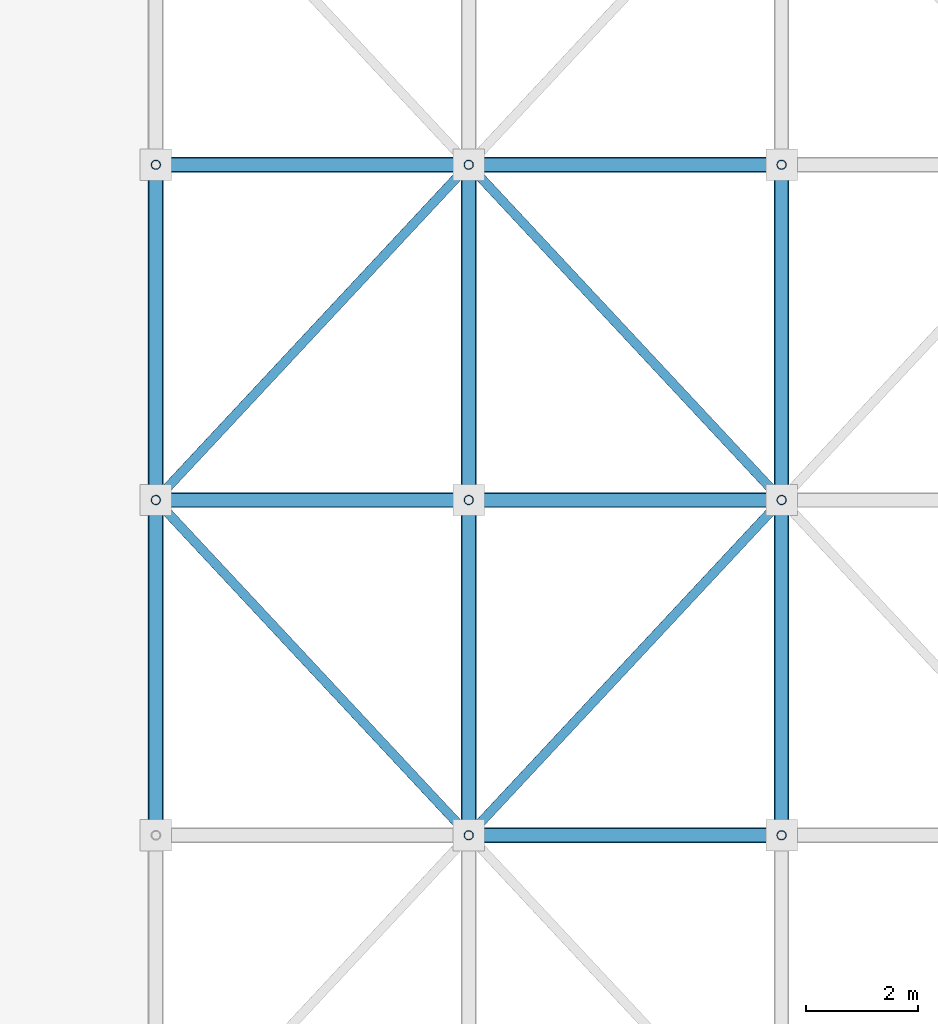
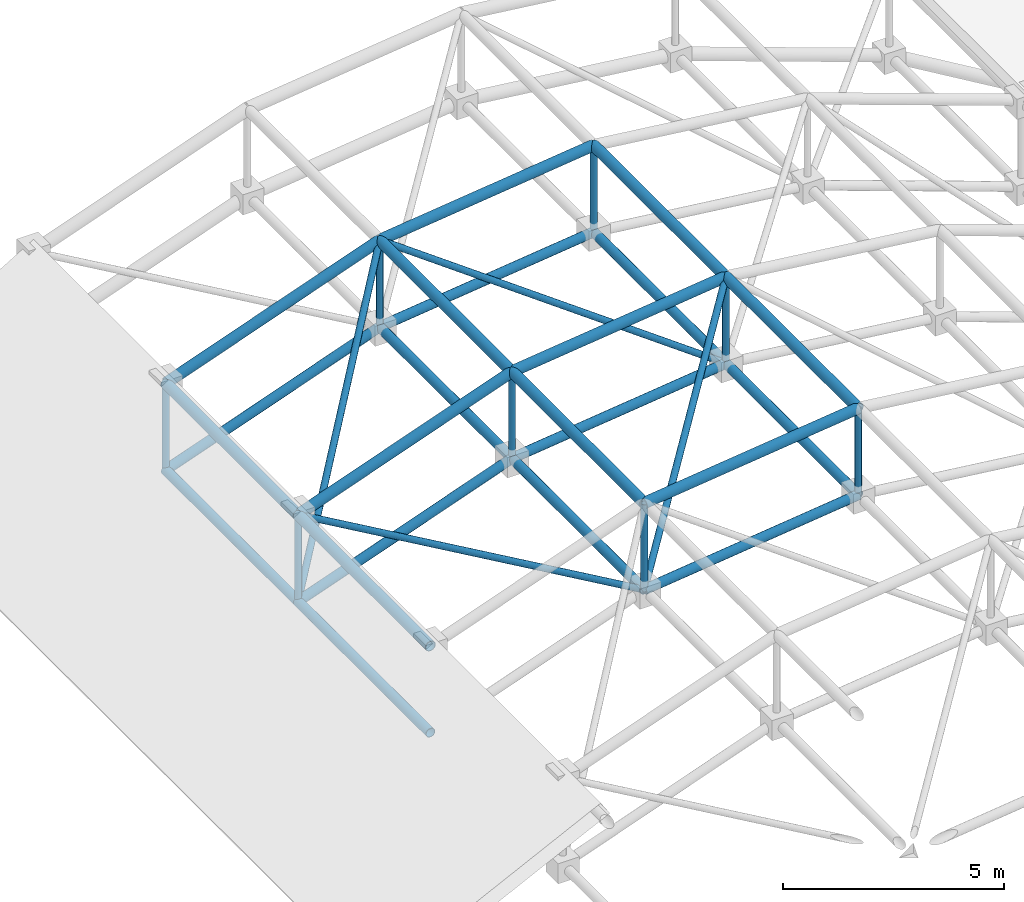
# One storey, part 88 of 140: 34 members.
"""IFC4 building model written with IfcOpenShell, lengths in metres."""

import ifcopenshell
import ifcopenshell.guid

model = None  # the IFC model being written
_history = None  # IfcOwnerHistory: only IFC2X3 demands one
_inside = {}  # id of a spatial element -> (the spatial element, [elements in it])
_under = {}  # id of a project, library or spatial element -> (it, [spatial elements below it])
_declared = {}  # id of a project -> (the project, [libraries it declares])
_typed = {}  # id of a type object -> (the type object, [elements of that type])
_made_of = {}  # id of a material, layer set ... -> (it, [elements and type objects made of it])


def new_model(schema):
    """Start an empty IFC model of exactly this schema.

    Asked for "IFC4X3", IfcOpenShell would pick the latest addendum, in which some entities
    have other attributes; the version numbers below select the first issue.
    IFC2X3 requires an IfcOwnerHistory on every rooted entity: one is made here for all.
    """
    global model, _history
    if schema == "IFC4X3":
        model = ifcopenshell.file(schema_version=(4, 3, 0, 0))
    else:
        model = ifcopenshell.file(schema=schema)
    _inside.clear()
    _under.clear()
    _declared.clear()
    _typed.clear()
    _made_of.clear()
    _history = None
    if model.schema == "IFC2X3":
        org = make("IfcOrganization", Name="unknown")
        user = make(
            "IfcPersonAndOrganization",
            ThePerson=make("IfcPerson", FamilyName="unknown"),
            TheOrganization=org,
        )
        app = make(
            "IfcApplication",
            ApplicationDeveloper=org,
            Version="unknown",
            ApplicationFullName="unknown",
            ApplicationIdentifier="unknown",
        )
        _history = make(
            "IfcOwnerHistory",
            OwningUser=user,
            OwningApplication=app,
            ChangeAction="ADDED",
            CreationDate=0,
        )
    return model


def make(cls, **values):
    """One entity of the class cls with the attributes given. An attribute that is None is left unset."""
    return model.create_entity(
        cls, **{name: value for name, value in values.items() if value is not None}
    )


def rooted(cls, **values):
    """An entity with a GlobalId (a new one), such as an element, a storey or a relation."""
    return make(cls, GlobalId=ifcopenshell.guid.new(), OwnerHistory=_history, **values)


def si_unit(unit_type, name, prefix=None):
    """IfcSIUnit, for example si_unit("LENGTHUNIT", "METRE", prefix="MILLI")."""
    return make("IfcSIUnit", UnitType=unit_type, Prefix=prefix, Name=name)


def assignment(units):
    """IfcUnitAssignment: the units of a project."""
    return None if units is None else make("IfcUnitAssignment", Units=units)


def point(xyz):
    """IfcCartesianPoint."""
    return None if xyz is None else make("IfcCartesianPoint", Coordinates=xyz)


def direction(xyz):
    """IfcDirection."""
    return None if xyz is None else make("IfcDirection", DirectionRatios=xyz)


def frame(location, z_axis=None, x_axis=None):
    """IfcAxis2Placement3D, a coordinate frame: its origin and axes. An axis left out is left unset."""
    return make(
        "IfcAxis2Placement3D",
        Location=point(location),
        Axis=direction(z_axis),
        RefDirection=direction(x_axis),
    )


def frame_2d(location, x_axis=None):
    """IfcAxis2Placement2D, a coordinate frame in the plane: its origin and x axis."""
    return make(
        "IfcAxis2Placement2D", Location=point(location), RefDirection=direction(x_axis)
    )


def origin():
    """The frame at (0, 0, 0) with its axes left unset."""
    return frame((0.0, 0.0, 0.0))


def origin_2d():
    """The frame at (0, 0) in the plane with its x axis left unset."""
    return frame_2d((0.0, 0.0))


def place(relative_to, where):
    """IfcLocalPlacement: puts the frame where relative to a parent placement (None: the world)."""
    return make(
        "IfcLocalPlacement", PlacementRelTo=relative_to, RelativePlacement=where
    )


def context(
    kind, dimensions, precision=None, world=None, true_north=None, identifier=None
):
    """IfcGeometricRepresentationContext, for example the 3D "Model" context."""
    return make(
        "IfcGeometricRepresentationContext",
        ContextIdentifier=identifier,
        ContextType=kind,
        CoordinateSpaceDimension=dimensions,
        Precision=precision,
        WorldCoordinateSystem=world,
        TrueNorth=true_north,
    )


def subcontext(parent, identifier, kind, view, scale=None):
    """IfcGeometricRepresentationSubContext, for example "Body" below "Model"."""
    return make(
        "IfcGeometricRepresentationSubContext",
        ContextIdentifier=identifier,
        ContextType=kind,
        ParentContext=parent,
        TargetScale=scale,
        TargetView=view,
    )


def project(units=None, contexts=None):
    """IfcProject with its units and contexts."""
    return rooted(
        "IfcProject",
        Name="project",
        RepresentationContexts=contexts,
        UnitsInContext=assignment(units),
    )


def spatial(cls, under=None, at=None, **own):
    """A site, building, storey or space (cls), placed at a placement, below another one or the project."""
    s = rooted(cls, ObjectPlacement=at, **own)
    if under is not None:
        _under.setdefault(under.id(), (under, []))[1].append(s)
    return s


def profile(cls, at=None, kind="AREA", **sizes):
    """A parametric profile (cls). Its sizes go by their IFC names, for example OverallWidth=200.0."""
    return make(cls, ProfileType=kind, Position=at, **sizes)


def hollow_circle(**sizes):
    """IfcCircleHollowProfileDef."""
    return profile("IfcCircleHollowProfileDef", **sizes)


def extrude(swept, where, along, depth):
    """IfcExtrudedAreaSolid: the profile swept, set in the frame where, extruded along a direction by depth."""
    return make(
        "IfcExtrudedAreaSolid",
        SweptArea=swept,
        Position=where,
        ExtrudedDirection=direction(along),
        Depth=depth,
    )


def shape(context_of_items, identifier, shape_type, items):
    """IfcShapeRepresentation: the items that make up one representation, for example the "Body"."""
    return make(
        "IfcShapeRepresentation",
        ContextOfItems=context_of_items,
        RepresentationIdentifier=identifier,
        RepresentationType=shape_type,
        Items=items,
    )


def material(Name=None, Category=None):
    """IfcMaterial."""
    return make("IfcMaterial", Name=Name, Category=Category)


def material_profile(
    of_material, cross_section, Name=None, Category=None, Priority=None
):
    """IfcMaterialProfile: a cross section and its material."""
    return make(
        "IfcMaterialProfile",
        Name=Name,
        Material=of_material,
        Profile=cross_section,
        Priority=Priority,
        Category=Category,
    )


def profile_set(profiles, Name=None, composite=None):
    """IfcMaterialProfileSet."""
    return make(
        "IfcMaterialProfileSet",
        Name=Name,
        MaterialProfiles=profiles,
        CompositeProfile=composite,
    )


def made_of(thing, what):
    """Note that an element or type object is made of a material, layer set ...; save() writes the relation."""
    if what is not None:
        _made_of.setdefault(what.id(), (what, []))[1].append(thing)
    return thing


def type_object(cls, material=None, **own):
    """A type object (cls), such as IfcWallType, which elements share."""
    return made_of(rooted(cls, **own), material)


def element(
    cls,
    number,
    at=None,
    inside=None,
    cuts=None,
    type_object=None,
    material=None,
    context=None,
    identifier="Body",
    shape_type=None,
    held_by="IfcProductDefinitionShape",
    body=None,
    shapes=None,
    **own,
):
    """One element of the class cls, such as IfcWall. Its Tag is "e" and its number.

    at: its placement. inside: the storey or other place that contains it. cuts: it is an
    opening in that element (IfcRelVoidsElement). A single representation is given by context,
    identifier, shape_type and body (its items); several are given by shapes. held_by: the class
    of the entity that holds the representations. save() writes the other relations.
    """
    e = rooted(cls, Tag="e%d" % number, ObjectPlacement=at, **own)
    if body is not None:
        shapes = [shape(context, identifier, shape_type, body)]
    if shapes is not None:
        e.Representation = make(held_by, Representations=shapes)
    if inside is not None:
        _inside.setdefault(inside.id(), (inside, []))[1].append(e)
    if cuts is not None:
        rooted(
            "IfcRelVoidsElement", RelatingBuildingElement=cuts, RelatedOpeningElement=e
        )
    if type_object is not None:
        _typed.setdefault(type_object.id(), (type_object, []))[1].append(e)
    return made_of(e, material)


def aggregate(whole, parts):
    """IfcRelAggregates: a whole, such as a stair, and the parts it consists of."""
    return rooted("IfcRelAggregates", RelatingObject=whole, RelatedObjects=parts)


def save(model, path):
    """Write the relations noted so far, then the file.

    IfcRelAggregates (storeys below a building ...), IfcRelContainedInSpatialStructure (elements
    in a storey), IfcRelDefinesByType, IfcRelAssociatesMaterial and IfcRelDeclares: one each for
    every whole, place, type object, material and project.
    """
    for whole, parts in _under.values():
        aggregate(whole, parts)
    for where, things in _inside.values():
        rooted(
            "IfcRelContainedInSpatialStructure",
            RelatedElements=things,
            RelatingStructure=where,
        )
    for kind, things in _typed.values():
        rooted("IfcRelDefinesByType", RelatedObjects=things, RelatingType=kind)
    for what, things in _made_of.values():
        rooted("IfcRelAssociatesMaterial", RelatedObjects=things, RelatingMaterial=what)
    for by, libraries in _declared.values():
        rooted("IfcRelDeclares", RelatingContext=by, RelatedDefinitions=libraries)
    model.write(path)


model = new_model("IFC4")

# Units and contexts
model_context = context("Model", 3, precision=1e-05, world=origin(), true_north=direction((0.0, 1.0)))
body_context = subcontext(model_context, "Body", "Model", "MODEL_VIEW")
ifc_project = project(units=[si_unit("LENGTHUNIT", "METRE"), si_unit("AREAUNIT", "SQUARE_METRE"), si_unit("VOLUMEUNIT", "CUBIC_METRE"), si_unit("PLANEANGLEUNIT", "RADIAN"), si_unit("MASSUNIT", "GRAM", prefix="KILO")], contexts=[model_context])

# Site, building, storey
site_placement = place(None, origin())
site = spatial("IfcSite", under=ifc_project, at=site_placement, CompositionType="ELEMENT")
building_placement = place(site_placement, origin())
building = spatial("IfcBuilding", under=site, at=building_placement, Name="Trelvath General Hospital", CompositionType="ELEMENT")
storey_placement = place(building_placement, frame((0.0, 0.0, 16.199951171875)))
storey = spatial("IfcBuildingStorey", under=building, at=storey_placement, Name="L04", CompositionType="ELEMENT", Elevation=16.199951171875)

# Members
ifc_material_1 = material(Name="Steel S355", Category="steel")
ifc_material_profile_1 = material_profile(ifc_material_1, hollow_circle(Radius=0.122314453125, WallThickness=0.010009765625, at=origin_2d()), Name="CHS244.5x10.0")
ifc_profile_set_1 = profile_set([ifc_material_profile_1], Name="Steel S355")
member_type_1 = type_object("IfcMemberType", Name="SpaceFrameBottomChord CHS244", PredefinedType="CHORD", material=ifc_profile_set_1)
member_1_placement = place(storey_placement, frame((148.39990234375, 49.199951171875, 0.033447265625), z_axis=(0.0, 1.0, 0.0), x_axis=(-1.0, 0.0, 0.0)))
element("IfcMember", 1, at=member_1_placement, inside=storey, type_object=member_type_1, Name="Space Frame Bottom Chord Y 2-5", PredefinedType="CHORD", context=body_context, shape_type="SweptSolid", body=[
    extrude(hollow_circle(Radius=0.122314453125, WallThickness=0.010009765625, at=origin_2d()), origin(), (0.0, 0.0, 1.0), 6.0),
])
member_2_placement = place(storey_placement, frame((148.39990234375, 55.199951171875, 0.033447265625), z_axis=(0.94174376932, 0.0, 0.336331195321), x_axis=(0.0, 1.0, 0.0)))
element("IfcMember", 2, at=member_2_placement, inside=storey, type_object=member_type_1, Name="Space Frame Bottom Chord X 2-6", PredefinedType="CHORD", context=body_context, shape_type="SweptSolid", body=[
    extrude(hollow_circle(Radius=0.122314453125, WallThickness=0.010009765625, at=origin_2d()), origin(), (0.0, 0.0, 1.0), 5.946533203125),
])
member_3_placement = place(storey_placement, frame((148.39990234375, 55.199951171875, 0.033447265625), z_axis=(0.0, 1.0, 0.0), x_axis=(-1.0, 0.0, 0.0)))
element("IfcMember", 3, at=member_3_placement, inside=storey, type_object=member_type_1, Name="Space Frame Bottom Chord Y 2-6", PredefinedType="CHORD", context=body_context, shape_type="SweptSolid", body=[
    extrude(hollow_circle(Radius=0.122314453125, WallThickness=0.010009765625, at=origin_2d()), origin(), (0.0, 0.0, 1.0), 6.0),
])
member_4_placement = place(storey_placement, frame((148.39990234375, 61.199951171875, 0.033447265625), z_axis=(0.94174376932, 0.0, 0.336331195321), x_axis=(0.0, 1.0, 0.0)))
element("IfcMember", 4, at=member_4_placement, inside=storey, type_object=member_type_1, Name="Space Frame Bottom Chord X 2-7", PredefinedType="CHORD", context=body_context, shape_type="SweptSolid", body=[
    extrude(hollow_circle(Radius=0.122314453125, WallThickness=0.010009765625, at=origin_2d()), origin(), (0.0, 0.0, 1.0), 5.946533203125),
])
member_5_placement = place(storey_placement, frame((154.0, 49.199951171875, 2.033447265625), z_axis=(0.99299190343, 0.0, 0.118182400225), x_axis=(0.0, 1.0, 0.0)))
element("IfcMember", 5, at=member_5_placement, inside=storey, type_object=member_type_1, Name="Space Frame Bottom Chord X 3-5", PredefinedType="CHORD", context=body_context, shape_type="SweptSolid", body=[
    extrude(hollow_circle(Radius=0.122314453125, WallThickness=0.010009765625, at=origin_2d()), origin(), (0.0, 0.0, 1.0), 5.6396484375),
])
member_6_placement = place(storey_placement, frame((154.0, 49.199951171875, 2.033447265625), z_axis=(0.0, 1.0, 0.0), x_axis=(-1.0, 0.0, 0.0)))
element("IfcMember", 6, at=member_6_placement, inside=storey, type_object=member_type_1, Name="Space Frame Bottom Chord Y 3-5", PredefinedType="CHORD", context=body_context, shape_type="SweptSolid", body=[
    extrude(hollow_circle(Radius=0.122314453125, WallThickness=0.010009765625, at=origin_2d()), origin(), (0.0, 0.0, 1.0), 6.0),
])
member_7_placement = place(storey_placement, frame((154.0, 55.199951171875, 2.033447265625), z_axis=(0.99299190343, 0.0, 0.118182400225), x_axis=(0.0, 1.0, 0.0)))
element("IfcMember", 7, at=member_7_placement, inside=storey, type_object=member_type_1, Name="Space Frame Bottom Chord X 3-6", PredefinedType="CHORD", context=body_context, shape_type="SweptSolid", body=[
    extrude(hollow_circle(Radius=0.122314453125, WallThickness=0.010009765625, at=origin_2d()), origin(), (0.0, 0.0, 1.0), 5.6396484375),
])
member_8_placement = place(storey_placement, frame((154.0, 55.199951171875, 2.033447265625), z_axis=(0.0, 1.0, 0.0), x_axis=(-1.0, 0.0, 0.0)))
element("IfcMember", 8, at=member_8_placement, inside=storey, type_object=member_type_1, Name="Space Frame Bottom Chord Y 3-6", PredefinedType="CHORD", context=body_context, shape_type="SweptSolid", body=[
    extrude(hollow_circle(Radius=0.122314453125, WallThickness=0.010009765625, at=origin_2d()), origin(), (0.0, 0.0, 1.0), 6.0),
])
member_9_placement = place(storey_placement, frame((154.0, 61.199951171875, 2.033447265625), z_axis=(0.99299190343, 0.0, 0.118182400225), x_axis=(0.0, 1.0, 0.0)))
element("IfcMember", 9, at=member_9_placement, inside=storey, type_object=member_type_1, Name="Space Frame Bottom Chord X 3-7", PredefinedType="CHORD", context=body_context, shape_type="SweptSolid", body=[
    extrude(hollow_circle(Radius=0.122314453125, WallThickness=0.010009765625, at=origin_2d()), origin(), (0.0, 0.0, 1.0), 5.6396484375),
])
for number, where, z_axis, x_axis, name in (
    (10, (159.60009765625, 49.199951171875, 2.699951171875), (0.0, 1.0, 0.0), (-1.0, 0.0, 0.0), "Space Frame Bottom Chord Y 4-5"),
    (11, (159.60009765625, 55.199951171875, 2.699951171875), (0.0, 1.0, 0.0), (-1.0, 0.0, 0.0), "Space Frame Bottom Chord Y 4-6"),
):
    element("IfcMember", number, at=place(storey_placement, frame(where, z_axis=z_axis, x_axis=x_axis)), inside=storey, type_object=member_type_1, Name=name, PredefinedType="CHORD", context=body_context, shape_type="SweptSolid", body=[
        extrude(hollow_circle(Radius=0.122314453125, WallThickness=0.010009765625, at=origin_2d()), origin(), (0.0, 0.0, 1.0), 6.0),
    ])
ifc_material_2 = material(Name="Steel S355", Category="steel")
ifc_material_profile_2 = material_profile(ifc_material_2, hollow_circle(Radius=0.084228515625, WallThickness=0.008056640625, at=origin_2d()), Name="CHS168.3x8.0")
ifc_profile_set_2 = profile_set([ifc_material_profile_2], Name="Steel S355")
member_type_2 = type_object("IfcMemberType", Name="SpaceFrameDiagStd CHS168", PredefinedType="BRACE", material=ifc_profile_set_2)
member_10_placement = place(storey_placement, frame((154.0, 49.199951171875, 2.033447265625), z_axis=(-0.681516095791, 0.730183083536, 0.048666987745), x_axis=(-0.731049333052, -0.682324609438, 0.0)))
element("IfcMember", 12, at=member_10_placement, inside=storey, type_object=member_type_2, Name="Space Frame Web Diagonal B 2-5", PredefinedType="BRACE", context=body_context, shape_type="SweptSolid", body=[
    extrude(hollow_circle(Radius=0.084228515625, WallThickness=0.008056640625, at=origin_2d()), origin(), (0.0, 0.0, 1.0), 8.217041015625),
])
member_11_placement = place(storey_placement, frame((148.39990234375, 55.199951171875, 0.033447265625), z_axis=(0.0, 0.0, 1.0), x_axis=(1.0, 0.0, 0.0)))
element("IfcMember", 13, at=member_11_placement, inside=storey, type_object=member_type_2, Name="Space Frame Web Post 2-6", PredefinedType="BRACE", context=body_context, shape_type="SweptSolid", body=[
    extrude(hollow_circle(Radius=0.084228515625, WallThickness=0.008056640625, at=origin_2d()), origin(), (0.0, 0.0, 1.0), 2.39990234375),
])
member_12_placement = place(storey_placement, frame((148.39990234375, 55.199951171875, 0.033447265625), z_axis=(0.601361165456, 0.644304298642, 0.472479332281), x_axis=(-0.731049333052, 0.682324609438, 0.0)))
element("IfcMember", 14, at=member_12_placement, inside=storey, type_object=member_type_2, Name="Space Frame Web Diagonal A 2-6", PredefinedType="BRACE", context=body_context, shape_type="SweptSolid", body=[
    extrude(hollow_circle(Radius=0.084228515625, WallThickness=0.008056640625, at=origin_2d()), origin(), (0.0, 0.0, 1.0), 9.312255859375),
])
for number, where, z_axis, x_axis, name in (
    (15, (148.39990234375, 61.199951171875, 0.033447265625), (0.0, 0.0, 1.0), (1.0, 0.0, 0.0), "Space Frame Web Post 2-7"),
    (16, (154.0, 49.199951171875, 2.033447265625), (0.0, 0.0, 1.0), (1.0, 0.0, 0.0), "Space Frame Web Post 3-5"),
):
    element("IfcMember", number, at=place(storey_placement, frame(where, z_axis=z_axis, x_axis=x_axis)), inside=storey, type_object=member_type_2, Name=name, PredefinedType="BRACE", context=body_context, shape_type="SweptSolid", body=[
        extrude(hollow_circle(Radius=0.084228515625, WallThickness=0.008056640625, at=origin_2d()), origin(), (0.0, 0.0, 1.0), 2.39990234375),
    ])
member_13_placement = place(storey_placement, frame((154.0, 49.199951171875, 2.033447265625), z_axis=(0.639164628842, 0.684807303096, 0.350010763924), x_axis=(-0.731049333052, 0.682324609438, 0.0)))
element("IfcMember", 17, at=member_13_placement, inside=storey, type_object=member_type_2, Name="Space Frame Web Diagonal A 3-5", PredefinedType="BRACE", context=body_context, shape_type="SweptSolid", body=[
    extrude(hollow_circle(Radius=0.084228515625, WallThickness=0.008056640625, at=origin_2d()), origin(), (0.0, 0.0, 1.0), 8.761474609375),
])
member_14_placement = place(storey_placement, frame((154.0, 55.199951171875, 2.033447265625), z_axis=(0.0, 0.0, 1.0), x_axis=(1.0, 0.0, 0.0)))
element("IfcMember", 18, at=member_14_placement, inside=storey, type_object=member_type_2, Name="Space Frame Web Post 3-6", PredefinedType="BRACE", context=body_context, shape_type="SweptSolid", body=[
    extrude(hollow_circle(Radius=0.084228515625, WallThickness=0.008056640625, at=origin_2d()), origin(), (0.0, 0.0, 1.0), 2.39990234375),
])
member_15_placement = place(storey_placement, frame((159.60009765625, 55.199951171875, 2.699951171875), z_axis=(-0.667597800302, 0.715270884133, 0.206641572157), x_axis=(-0.731049333052, -0.682324609438, 0.0)))
element("IfcMember", 19, at=member_15_placement, inside=storey, type_object=member_type_2, Name="Space Frame Web Diagonal B 3-6", PredefinedType="BRACE", context=body_context, shape_type="SweptSolid", body=[
    extrude(hollow_circle(Radius=0.084228515625, WallThickness=0.008056640625, at=origin_2d()), origin(), (0.0, 0.0, 1.0), 8.388427734375),
])
member_16_placement = place(storey_placement, frame((154.0, 61.199951171875, 2.033447265625), z_axis=(0.0, 0.0, 1.0), x_axis=(1.0, 0.0, 0.0)))
element("IfcMember", 20, at=member_16_placement, inside=storey, type_object=member_type_2, Name="Space Frame Web Post 3-7", PredefinedType="BRACE", context=body_context, shape_type="SweptSolid", body=[
    extrude(hollow_circle(Radius=0.084228515625, WallThickness=0.008056640625, at=origin_2d()), origin(), (0.0, 0.0, 1.0), 2.39990234375),
])
for number, where, z_axis, x_axis, name in (
    (21, (159.60009765625, 49.199951171875, 2.699951171875), (0.0, 0.0, 1.0), (1.0, 0.0, 0.0), "Space Frame Web Post 4-5"),
    (22, (159.60009765625, 55.199951171875, 2.699951171875), (0.0, 0.0, 1.0), (1.0, 0.0, 0.0), "Space Frame Web Post 4-6"),
    (23, (159.60009765625, 61.199951171875, 2.699951171875), (0.0, 0.0, 1.0), (1.0, 0.0, 0.0), "Space Frame Web Post 4-7"),
):
    element("IfcMember", number, at=place(storey_placement, frame(where, z_axis=z_axis, x_axis=x_axis)), inside=storey, type_object=member_type_2, Name=name, PredefinedType="BRACE", context=body_context, shape_type="SweptSolid", body=[
        extrude(hollow_circle(Radius=0.084228515625, WallThickness=0.008056640625, at=origin_2d()), origin(), (0.0, 0.0, 1.0), 2.400146484375),
    ])
ifc_material_3 = material(Name="Steel S355", Category="steel")
ifc_material_profile_3 = material_profile(ifc_material_3, hollow_circle(Radius=0.136474609375, WallThickness=0.012451171875, at=origin_2d()), Name="CHS273.0x12.5")
ifc_profile_set_3 = profile_set([ifc_material_profile_3], Name="Steel S355")
member_type_3 = type_object("IfcMemberType", Name="SpaceFrameTopChord CHS273", PredefinedType="CHORD", material=ifc_profile_set_3)
member_17_placement = place(storey_placement, frame((148.39990234375, 49.199951171875, 2.433349609375), z_axis=(0.0, 1.0, 0.0), x_axis=(-1.0, 0.0, 0.0)))
element("IfcMember", 24, at=member_17_placement, inside=storey, type_object=member_type_3, Name="Space Frame Top Chord Y 2-5", PredefinedType="CHORD", context=body_context, shape_type="SweptSolid", body=[
    extrude(hollow_circle(Radius=0.136474609375, WallThickness=0.012451171875, at=origin_2d()), origin(), (0.0, 0.0, 1.0), 6.0),
])
member_18_placement = place(storey_placement, frame((148.39990234375, 55.199951171875, 2.433349609375), z_axis=(0.94174376932, 0.0, 0.336331195321), x_axis=(0.0, 1.0, 0.0)))
element("IfcMember", 25, at=member_18_placement, inside=storey, type_object=member_type_3, Name="Space Frame Top Chord X 2-6", PredefinedType="CHORD", context=body_context, shape_type="SweptSolid", body=[
    extrude(hollow_circle(Radius=0.136474609375, WallThickness=0.012451171875, at=origin_2d()), origin(), (0.0, 0.0, 1.0), 5.946533203125),
])
member_19_placement = place(storey_placement, frame((148.39990234375, 55.199951171875, 2.433349609375), z_axis=(0.0, 1.0, 0.0), x_axis=(-1.0, 0.0, 0.0)))
element("IfcMember", 26, at=member_19_placement, inside=storey, type_object=member_type_3, Name="Space Frame Top Chord Y 2-6", PredefinedType="CHORD", context=body_context, shape_type="SweptSolid", body=[
    extrude(hollow_circle(Radius=0.136474609375, WallThickness=0.012451171875, at=origin_2d()), origin(), (0.0, 0.0, 1.0), 6.0),
])
member_20_placement = place(storey_placement, frame((148.39990234375, 61.199951171875, 2.433349609375), z_axis=(0.94174376932, 0.0, 0.336331195321), x_axis=(0.0, 1.0, 0.0)))
element("IfcMember", 27, at=member_20_placement, inside=storey, type_object=member_type_3, Name="Space Frame Top Chord X 2-7", PredefinedType="CHORD", context=body_context, shape_type="SweptSolid", body=[
    extrude(hollow_circle(Radius=0.136474609375, WallThickness=0.012451171875, at=origin_2d()), origin(), (0.0, 0.0, 1.0), 5.946533203125),
])
member_21_placement = place(storey_placement, frame((154.0, 49.199951171875, 4.433349609375), z_axis=(0.992986822246, 0.0, 0.118225085516), x_axis=(0.0, 1.0, 0.0)))
element("IfcMember", 28, at=member_21_placement, inside=storey, type_object=member_type_3, Name="Space Frame Top Chord X 3-5", PredefinedType="CHORD", context=body_context, shape_type="SweptSolid", body=[
    extrude(hollow_circle(Radius=0.136474609375, WallThickness=0.012451171875, at=origin_2d()), origin(), (0.0, 0.0, 1.0), 5.6396484375),
])
member_22_placement = place(storey_placement, frame((154.0, 49.199951171875, 4.433349609375), z_axis=(0.0, 1.0, 0.0), x_axis=(-1.0, 0.0, 0.0)))
element("IfcMember", 29, at=member_22_placement, inside=storey, type_object=member_type_3, Name="Space Frame Top Chord Y 3-5", PredefinedType="CHORD", context=body_context, shape_type="SweptSolid", body=[
    extrude(hollow_circle(Radius=0.136474609375, WallThickness=0.012451171875, at=origin_2d()), origin(), (0.0, 0.0, 1.0), 6.0),
])
member_23_placement = place(storey_placement, frame((154.0, 55.199951171875, 4.433349609375), z_axis=(0.992986822246, 0.0, 0.118225085516), x_axis=(0.0, 1.0, 0.0)))
element("IfcMember", 30, at=member_23_placement, inside=storey, type_object=member_type_3, Name="Space Frame Top Chord X 3-6", PredefinedType="CHORD", context=body_context, shape_type="SweptSolid", body=[
    extrude(hollow_circle(Radius=0.136474609375, WallThickness=0.012451171875, at=origin_2d()), origin(), (0.0, 0.0, 1.0), 5.6396484375),
])
member_24_placement = place(storey_placement, frame((154.0, 55.199951171875, 4.433349609375), z_axis=(0.0, 1.0, 0.0), x_axis=(-1.0, 0.0, 0.0)))
element("IfcMember", 31, at=member_24_placement, inside=storey, type_object=member_type_3, Name="Space Frame Top Chord Y 3-6", PredefinedType="CHORD", context=body_context, shape_type="SweptSolid", body=[
    extrude(hollow_circle(Radius=0.136474609375, WallThickness=0.012451171875, at=origin_2d()), origin(), (0.0, 0.0, 1.0), 6.0),
])
member_25_placement = place(storey_placement, frame((154.0, 61.199951171875, 4.433349609375), z_axis=(0.992986822246, 0.0, 0.118225085516), x_axis=(0.0, 1.0, 0.0)))
element("IfcMember", 32, at=member_25_placement, inside=storey, type_object=member_type_3, Name="Space Frame Top Chord X 3-7", PredefinedType="CHORD", context=body_context, shape_type="SweptSolid", body=[
    extrude(hollow_circle(Radius=0.136474609375, WallThickness=0.012451171875, at=origin_2d()), origin(), (0.0, 0.0, 1.0), 5.6396484375),
])
for number, where, z_axis, x_axis, name in (
    (33, (159.60009765625, 49.199951171875, 5.10009765625), (0.0, 1.0, 0.0), (-1.0, 0.0, 0.0), "Space Frame Top Chord Y 4-5"),
    (34, (159.60009765625, 55.199951171875, 5.10009765625), (0.0, 1.0, 0.0), (-1.0, 0.0, 0.0), "Space Frame Top Chord Y 4-6"),
):
    element("IfcMember", number, at=place(storey_placement, frame(where, z_axis=z_axis, x_axis=x_axis)), inside=storey, type_object=member_type_3, Name=name, PredefinedType="CHORD", context=body_context, shape_type="SweptSolid", body=[
        extrude(hollow_circle(Radius=0.136474609375, WallThickness=0.012451171875, at=origin_2d()), origin(), (0.0, 0.0, 1.0), 6.0),
    ])

save(model, "model.ifc")
